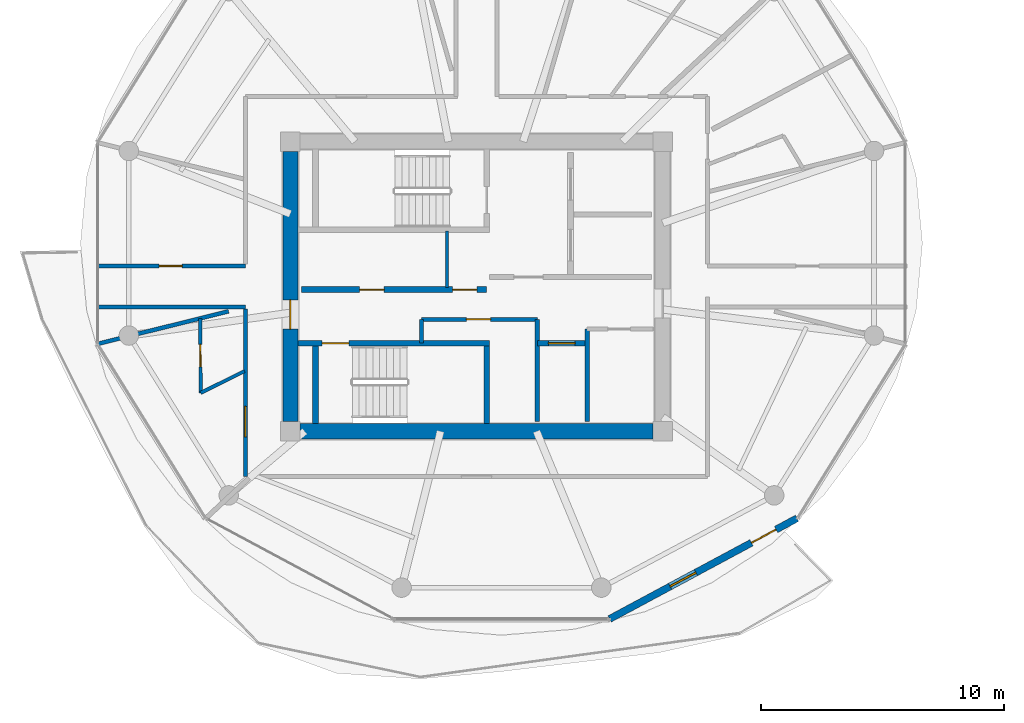
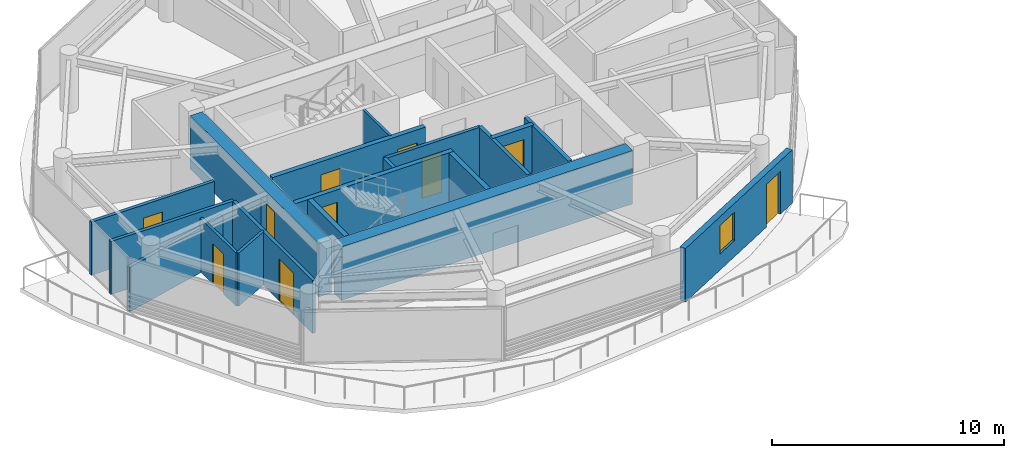
# One storey, part 12 of 23: 19 walls, 10 doors, 1 window, 11 openings.
"""IFC4 building model written with IfcOpenShell, lengths in metres."""

import ifcopenshell
import ifcopenshell.guid

model = None  # the IFC model being written
_history = None  # IfcOwnerHistory: only IFC2X3 demands one
_inside = {}  # id of a spatial element -> (the spatial element, [elements in it])
_under = {}  # id of a project, library or spatial element -> (it, [spatial elements below it])
_declared = {}  # id of a project -> (the project, [libraries it declares])
_typed = {}  # id of a type object -> (the type object, [elements of that type])
_made_of = {}  # id of a material, layer set ... -> (it, [elements and type objects made of it])


def new_model(schema):
    """Start an empty IFC model of exactly this schema.

    Asked for "IFC4X3", IfcOpenShell would pick the latest addendum, in which some entities
    have other attributes; the version numbers below select the first issue.
    IFC2X3 requires an IfcOwnerHistory on every rooted entity: one is made here for all.
    """
    global model, _history
    if schema == "IFC4X3":
        model = ifcopenshell.file(schema_version=(4, 3, 0, 0))
    else:
        model = ifcopenshell.file(schema=schema)
    _inside.clear()
    _under.clear()
    _declared.clear()
    _typed.clear()
    _made_of.clear()
    _history = None
    if model.schema == "IFC2X3":
        org = make("IfcOrganization", Name="unknown")
        user = make(
            "IfcPersonAndOrganization",
            ThePerson=make("IfcPerson", FamilyName="unknown"),
            TheOrganization=org,
        )
        app = make(
            "IfcApplication",
            ApplicationDeveloper=org,
            Version="unknown",
            ApplicationFullName="unknown",
            ApplicationIdentifier="unknown",
        )
        _history = make(
            "IfcOwnerHistory",
            OwningUser=user,
            OwningApplication=app,
            ChangeAction="ADDED",
            CreationDate=0,
        )
    return model


def make(cls, **values):
    """One entity of the class cls with the attributes given. An attribute that is None is left unset."""
    return model.create_entity(
        cls, **{name: value for name, value in values.items() if value is not None}
    )


def rooted(cls, **values):
    """An entity with a GlobalId (a new one), such as an element, a storey or a relation."""
    return make(cls, GlobalId=ifcopenshell.guid.new(), OwnerHistory=_history, **values)


def si_unit(unit_type, name, prefix=None):
    """IfcSIUnit, for example si_unit("LENGTHUNIT", "METRE", prefix="MILLI")."""
    return make("IfcSIUnit", UnitType=unit_type, Prefix=prefix, Name=name)


def assignment(units):
    """IfcUnitAssignment: the units of a project."""
    return None if units is None else make("IfcUnitAssignment", Units=units)


def point(xyz):
    """IfcCartesianPoint."""
    return None if xyz is None else make("IfcCartesianPoint", Coordinates=xyz)


def direction(xyz):
    """IfcDirection."""
    return None if xyz is None else make("IfcDirection", DirectionRatios=xyz)


def frame(location, z_axis=None, x_axis=None):
    """IfcAxis2Placement3D, a coordinate frame: its origin and axes. An axis left out is left unset."""
    return make(
        "IfcAxis2Placement3D",
        Location=point(location),
        Axis=direction(z_axis),
        RefDirection=direction(x_axis),
    )


def frame_2d(location, x_axis=None):
    """IfcAxis2Placement2D, a coordinate frame in the plane: its origin and x axis."""
    return make(
        "IfcAxis2Placement2D", Location=point(location), RefDirection=direction(x_axis)
    )


def origin():
    """The frame at (0, 0, 0) with its axes left unset."""
    return frame((0.0, 0.0, 0.0))


def place(relative_to, where):
    """IfcLocalPlacement: puts the frame where relative to a parent placement (None: the world)."""
    return make(
        "IfcLocalPlacement", PlacementRelTo=relative_to, RelativePlacement=where
    )


def context(
    kind, dimensions, precision=None, world=None, true_north=None, identifier=None
):
    """IfcGeometricRepresentationContext, for example the 3D "Model" context."""
    return make(
        "IfcGeometricRepresentationContext",
        ContextIdentifier=identifier,
        ContextType=kind,
        CoordinateSpaceDimension=dimensions,
        Precision=precision,
        WorldCoordinateSystem=world,
        TrueNorth=true_north,
    )


def subcontext(parent, identifier, kind, view, scale=None):
    """IfcGeometricRepresentationSubContext, for example "Body" below "Model"."""
    return make(
        "IfcGeometricRepresentationSubContext",
        ContextIdentifier=identifier,
        ContextType=kind,
        ParentContext=parent,
        TargetScale=scale,
        TargetView=view,
    )


def project(units=None, contexts=None):
    """IfcProject with its units and contexts."""
    return rooted(
        "IfcProject",
        Name="project",
        RepresentationContexts=contexts,
        UnitsInContext=assignment(units),
    )


def spatial(cls, under=None, at=None, **own):
    """A site, building, storey or space (cls), placed at a placement, below another one or the project."""
    s = rooted(cls, ObjectPlacement=at, **own)
    if under is not None:
        _under.setdefault(under.id(), (under, []))[1].append(s)
    return s


def profile(cls, at=None, kind="AREA", **sizes):
    """A parametric profile (cls). Its sizes go by their IFC names, for example OverallWidth=200.0."""
    return make(cls, ProfileType=kind, Position=at, **sizes)


def rectangle(**sizes):
    """IfcRectangleProfileDef."""
    return profile("IfcRectangleProfileDef", **sizes)


def extrude(swept, where, along, depth):
    """IfcExtrudedAreaSolid: the profile swept, set in the frame where, extruded along a direction by depth."""
    return make(
        "IfcExtrudedAreaSolid",
        SweptArea=swept,
        Position=where,
        ExtrudedDirection=direction(along),
        Depth=depth,
    )


def shape(context_of_items, identifier, shape_type, items):
    """IfcShapeRepresentation: the items that make up one representation, for example the "Body"."""
    return make(
        "IfcShapeRepresentation",
        ContextOfItems=context_of_items,
        RepresentationIdentifier=identifier,
        RepresentationType=shape_type,
        Items=items,
    )


def source(mapping_origin, context_of_items, identifier, shape_type, items):
    """IfcRepresentationMap: a shape defined once, which mapped items show again and again."""
    return make(
        "IfcRepresentationMap",
        MappingOrigin=mapping_origin,
        MappedRepresentation=shape(context_of_items, identifier, shape_type, items),
    )


def transform(
    local_origin,
    x_axis=None,
    y_axis=None,
    z_axis=None,
    scale=None,
    scale2=None,
    scale3=None,
    uniform=True,
):
    """IfcCartesianTransformationOperator3D, or its non-uniform kind. x_axis, y_axis, z_axis: its Axis1, 2, 3."""
    if uniform:
        return make(
            "IfcCartesianTransformationOperator3D",
            Axis1=direction(x_axis),
            Axis2=direction(y_axis),
            LocalOrigin=point(local_origin),
            Scale=scale,
            Axis3=direction(z_axis),
        )
    return make(
        "IfcCartesianTransformationOperator3DnonUniform",
        Axis1=direction(x_axis),
        Axis2=direction(y_axis),
        LocalOrigin=point(local_origin),
        Scale=scale,
        Axis3=direction(z_axis),
        Scale2=scale2,
        Scale3=scale3,
    )


def mapped(mapping_source, mapping_target):
    """IfcMappedItem: shows the shape of a source again, moved by a transform."""
    return make(
        "IfcMappedItem", MappingSource=mapping_source, MappingTarget=mapping_target
    )


def material(Name=None, Category=None):
    """IfcMaterial."""
    return make("IfcMaterial", Name=Name, Category=Category)


def layer(
    of_material, thickness, ventilated=None, Name=None, Category=None, Priority=None
):
    """IfcMaterialLayer: one layer of a wall or slab, of a material (None: an air gap)."""
    return make(
        "IfcMaterialLayer",
        Material=of_material,
        LayerThickness=thickness,
        IsVentilated=ventilated,
        Name=Name,
        Category=Category,
        Priority=Priority,
    )


def layer_set(layers, Name=None):
    """IfcMaterialLayerSet."""
    return make("IfcMaterialLayerSet", MaterialLayers=layers, LayerSetName=Name)


def made_of(thing, what):
    """Note that an element or type object is made of a material, layer set ...; save() writes the relation."""
    if what is not None:
        _made_of.setdefault(what.id(), (what, []))[1].append(thing)
    return thing


def type_object(cls, material=None, **own):
    """A type object (cls), such as IfcWallType, which elements share."""
    return made_of(rooted(cls, **own), material)


def type_shapes(of_type, sources):
    """Give a type object the sources (RepresentationMaps) that its elements show as mapped items."""
    of_type.RepresentationMaps = sources


def element(
    cls,
    number,
    at=None,
    inside=None,
    cuts=None,
    type_object=None,
    material=None,
    context=None,
    identifier="Body",
    shape_type=None,
    held_by="IfcProductDefinitionShape",
    body=None,
    shapes=None,
    **own,
):
    """One element of the class cls, such as IfcWall. Its Tag is "e" and its number.

    at: its placement. inside: the storey or other place that contains it. cuts: it is an
    opening in that element (IfcRelVoidsElement). A single representation is given by context,
    identifier, shape_type and body (its items); several are given by shapes. held_by: the class
    of the entity that holds the representations. save() writes the other relations.
    """
    e = rooted(cls, Tag="e%d" % number, ObjectPlacement=at, **own)
    if body is not None:
        shapes = [shape(context, identifier, shape_type, body)]
    if shapes is not None:
        e.Representation = make(held_by, Representations=shapes)
    if inside is not None:
        _inside.setdefault(inside.id(), (inside, []))[1].append(e)
    if cuts is not None:
        rooted(
            "IfcRelVoidsElement", RelatingBuildingElement=cuts, RelatedOpeningElement=e
        )
    if type_object is not None:
        _typed.setdefault(type_object.id(), (type_object, []))[1].append(e)
    return made_of(e, material)


def fill(opening, filler):
    """IfcRelFillsElement: the door or window that sits in an opening."""
    return rooted(
        "IfcRelFillsElement",
        RelatingOpeningElement=opening,
        RelatedBuildingElement=filler,
    )


def aggregate(whole, parts):
    """IfcRelAggregates: a whole, such as a stair, and the parts it consists of."""
    return rooted("IfcRelAggregates", RelatingObject=whole, RelatedObjects=parts)


def save(model, path):
    """Write the relations noted so far, then the file.

    IfcRelAggregates (storeys below a building ...), IfcRelContainedInSpatialStructure (elements
    in a storey), IfcRelDefinesByType, IfcRelAssociatesMaterial and IfcRelDeclares: one each for
    every whole, place, type object, material and project.
    """
    for whole, parts in _under.values():
        aggregate(whole, parts)
    for where, things in _inside.values():
        rooted(
            "IfcRelContainedInSpatialStructure",
            RelatedElements=things,
            RelatingStructure=where,
        )
    for kind, things in _typed.values():
        rooted("IfcRelDefinesByType", RelatedObjects=things, RelatingType=kind)
    for what, things in _made_of.values():
        rooted("IfcRelAssociatesMaterial", RelatedObjects=things, RelatingMaterial=what)
    for by, libraries in _declared.values():
        rooted("IfcRelDeclares", RelatingContext=by, RelatedDefinitions=libraries)
    model.write(path)


model = new_model("IFC4")

# Units and contexts
model_context = context("Model", 3, precision=1e-05, world=origin(), true_north=direction((0.0, 1.0)))
body_context = subcontext(model_context, "Body", "Model", "MODEL_VIEW")
ifc_project = project(units=[si_unit("LENGTHUNIT", "METRE"), si_unit("AREAUNIT", "SQUARE_METRE"), si_unit("VOLUMEUNIT", "CUBIC_METRE"), si_unit("PLANEANGLEUNIT", "RADIAN"), si_unit("MASSUNIT", "GRAM", prefix="KILO")], contexts=[model_context])

# Site, building, storey
site_placement = place(None, origin())
site = spatial("IfcSite", under=ifc_project, at=site_placement, CompositionType="ELEMENT")
building_placement = place(site_placement, origin())
building = spatial("IfcBuilding", under=site, at=building_placement, Name="Norrkilde Senior Care Towers", CompositionType="ELEMENT")
storey_placement = place(building_placement, frame((0.0, 0.0, 173.949951171875)))
storey = spatial("IfcBuildingStorey", under=building, at=storey_placement, Name="L54", CompositionType="ELEMENT", Elevation=173.949951171875)

# Wall
ifc_material_1 = material(Name="Concrete C50/60", Category="concrete")
ifc_layer_1 = layer(ifc_material_1, 0.6201171875)
ifc_layer_set_1 = layer_set([ifc_layer_1], Name="Concrete C50/60")
wall_type_1 = type_object("IfcWallType", Name="Core Shear Wall Z3 620", PredefinedType="SHEAR", material=ifc_layer_set_1)
shared_shape_1 = source(origin(), body_context, "Body", "SweptSolid", [
    extrude(rectangle(XDim=14.5, YDim=0.6201171875, at=frame_2d((7.25, 0.0))), origin(), (0.0, 0.0, 1.0), 2.81005859375),
])
wall_1_placement = place(storey_placement, frame((-20.75, -5.949951171875, 0.0), z_axis=(0.0, 0.0, 1.0), x_axis=(-1.0, 0.0, 0.0)))
element("IfcWall", 1, at=wall_1_placement, inside=storey, type_object=wall_type_1, Name="L54 Core W South Shear Wall", PredefinedType="SHEAR", context=body_context, shape_type="MappedRepresentation", body=[
    mapped(shared_shape_1, transform((0.0, 0.0, 0.0), x_axis=(1.0, 0.0, 0.0), y_axis=(0.0, 1.0, 0.0), z_axis=(0.0, 0.0, 1.0), scale=1.0)),
])

# Wall, opening, door
shared_shape_2 = source(origin(), body_context, "Body", "SweptSolid", [
    extrude(rectangle(XDim=11.10009765625, YDim=0.6201171875, at=frame_2d((5.550048828125, 0.0))), origin(), (0.0, 0.0, 1.0), 2.81005859375),
])
type_shapes(wall_type_1, [shared_shape_1, shared_shape_2])
wall_2_placement = place(storey_placement, frame((-35.64990234375, -5.550048828125, 0.0), z_axis=(0.0, 0.0, 1.0), x_axis=(0.0, 1.0, 0.0)))
wall_2 = element("IfcWall", 2, at=wall_2_placement, inside=storey, type_object=wall_type_1, Name="L54 Core W West Shear Wall", PredefinedType="SHEAR", context=body_context, shape_type="MappedRepresentation", body=[
    mapped(shared_shape_2, transform((0.0, 0.0, 0.0), x_axis=(1.0, 0.0, 0.0), y_axis=(0.0, 1.0, 0.0), z_axis=(0.0, 0.0, 1.0), scale=1.0)),
])
opening_1_placement = place(wall_2_placement, frame((3.800048828125, 0.0, 0.0)))
opening_1 = element("IfcOpeningElement", 3, at=opening_1_placement, cuts=wall_2, Name="Opening D-04", PredefinedType="OPENING", context=body_context, shape_type="SweptSolid", body=[
    extrude(rectangle(XDim=1.199951171875, YDim=2.14990234375, at=frame_2d((0.60009765625, 1.074951171875))), frame((0.0, 0.320068359375, 0.0), z_axis=(0.0, -1.0, 0.0), x_axis=(1.0, 0.0, 0.0)), (0.0, 0.0, 1.0), 0.64013671875),
])
ifc_material_2 = material(Name="Galvanised Painted Steel", Category="steel")
door_type_1 = type_object("IfcDoorType", Name="Firefighting Lobby Fire Door 1200x2150", OperationType="NOTDEFINED", PredefinedType="DOOR", material=ifc_material_2)
shared_shape_3 = source(origin(), body_context, "Body", "SweptSolid", [
    extrude(rectangle(XDim=1.199951171875, YDim=2.14990234375, at=frame_2d((0.60009765625, 1.074951171875))), frame((0.0, 0.02490234375, 0.0), z_axis=(0.0, -1.0, 0.0), x_axis=(1.0, 0.0, 0.0)), (0.0, 0.0, 1.0), 0.050048828125),
])
type_shapes(door_type_1, [shared_shape_3])
door_1_placement = place(opening_1_placement, frame((1.199951171875, 0.0, 0.0), z_axis=(0.0, 0.0, 1.0), x_axis=(-1.0, 0.0, 0.0)))
door_1 = element("IfcDoor", 4, at=door_1_placement, inside=storey, type_object=door_type_1, Name="L54 Core W West Portal Door", OperationType="SINGLE_SWING_LEFT", OverallHeight=2.14990234375, OverallWidth=1.199951171875, PredefinedType="DOOR", context=body_context, shape_type="MappedRepresentation", body=[
    mapped(shared_shape_3, transform((0.0, 0.0, 0.0), x_axis=(1.0, 0.0, 0.0), y_axis=(0.0, 1.0, 0.0), z_axis=(0.0, 0.0, 1.0), scale=1.0)),
])
fill(opening_1, door_1)

# Wall, openings, door, window
ifc_material_3 = material(Name="Precast concrete C45/55", Category="concrete")
ifc_layer_2 = layer(ifc_material_3, 0.2900390625)
ifc_layer_set_2 = layer_set([ifc_layer_2], Name="Precast concrete C45/55")
wall_type_2 = type_object("IfcWallType", Name="Winter Garden Facade Wall 290", PredefinedType="SOLIDWALL", material=ifc_layer_set_2)
shared_shape_4 = source(origin(), body_context, "Body", "SweptSolid", [
    extrude(rectangle(XDim=8.741943359375, YDim=0.2900390625, at=frame_2d((4.37109375, 0.0))), origin(), (0.0, 0.0, 1.0), 2.81005859375),
])
type_shapes(wall_type_2, [shared_shape_4])
wall_3_placement = place(storey_placement, frame((-14.826904296875, -9.524169921875, 0.0), z_axis=(0.0, 0.0, 1.0), x_axis=(-0.880998740657, -0.473118609823, 0.0)))
wall_3 = element("IfcWall", 5, at=wall_3_placement, inside=storey, type_object=wall_type_2, Name="L54 Drum W Balcony Access Wall 09", PredefinedType="SOLIDWALL", context=body_context, shape_type="MappedRepresentation", body=[
    mapped(shared_shape_4, transform((0.0, 0.0, 0.0), x_axis=(1.0, 0.0, 0.0), y_axis=(0.0, 1.0, 0.0), z_axis=(0.0, 0.0, 1.0), scale=1.0)),
])
opening_2_placement = place(wall_3_placement, frame((0.97998046875, 0.0, 0.0)))
opening_2 = element("IfcOpeningElement", 6, at=opening_2_placement, cuts=wall_3, Name="Opening D-09", PredefinedType="OPENING", context=body_context, shape_type="SweptSolid", body=[
    extrude(rectangle(XDim=1.14990234375, YDim=2.25, at=frame_2d((0.574951171875, 1.125))), frame((0.0, 0.155029296875, 0.0), z_axis=(0.0, -1.0, 0.0), x_axis=(1.0, 0.0, 0.0)), (0.0, 0.0, 1.0), 0.31005859375),
])
opening_3_placement = place(wall_3_placement, frame((4.720947265625, 0.0, 0.85009765625)))
opening_3 = element("IfcOpeningElement", 7, at=opening_3_placement, cuts=wall_3, Name="Opening WN-07", PredefinedType="OPENING", context=body_context, shape_type="SweptSolid", body=[
    extrude(rectangle(XDim=1.199951171875, YDim=1.5, at=frame_2d((0.60009765625, 0.75))), frame((0.0, 0.155029296875, 0.0), z_axis=(0.0, -1.0, 0.0), x_axis=(1.0, 0.0, 0.0)), (0.0, 0.0, 1.0), 0.31005859375),
])
ifc_material_4 = material(Name="Anodised Aluminium", Category="aluminium")
door_type_2 = type_object("IfcDoorType", Name="Terrace and Balcony Glazed Door 1150x2250", OperationType="NOTDEFINED", PredefinedType="DOOR", material=ifc_material_4)
shared_shape_5 = source(origin(), body_context, "Body", "SweptSolid", [
    extrude(rectangle(XDim=1.14990234375, YDim=2.25, at=frame_2d((0.574951171875, 1.125))), frame((0.0, 0.02490234375, 0.0), z_axis=(0.0, -1.0, 0.0), x_axis=(1.0, 0.0, 0.0)), (0.0, 0.0, 1.0), 0.050048828125),
])
type_shapes(door_type_2, [shared_shape_5])
door_2_placement = place(opening_2_placement, origin())
door_2 = element("IfcDoor", 8, at=door_2_placement, inside=storey, type_object=door_type_2, Name="L54 Drum W Outdoor Terrace Door 09", OperationType="SINGLE_SWING_RIGHT", OverallHeight=2.25, OverallWidth=1.14990234375, PredefinedType="DOOR", context=body_context, shape_type="MappedRepresentation", body=[
    mapped(shared_shape_5, transform((0.0, 0.0, 0.0), x_axis=(1.0, 0.0, 0.0), y_axis=(0.0, 1.0, 0.0), z_axis=(0.0, 0.0, 1.0), scale=1.0)),
])
fill(opening_2, door_2)
ifc_material_5 = material(Name="Triple Low-E Insulated Glazing", Category="glass")
window_type = type_object("IfcWindowType", Name="Stairwell Smoke Vent Window 1200x1500", PartitioningType="SINGLE_PANEL", PredefinedType="WINDOW", material=ifc_material_5)
shared_shape_6 = source(origin(), body_context, "Body", "SweptSolid", [
    extrude(rectangle(XDim=1.199951171875, YDim=1.5, at=frame_2d((0.60009765625, 0.75))), frame((0.0, 0.030029296875, 0.0), z_axis=(0.0, -1.0, 0.0), x_axis=(1.0, 0.0, 0.0)), (0.0, 0.0, 1.0), 0.06005859375),
])
type_shapes(window_type, [shared_shape_6])
window_placement = place(opening_3_placement, origin())
window = element("IfcWindow", 9, at=window_placement, inside=storey, type_object=window_type, Name="L54 Drum W Winter Garden Window 09", OverallHeight=1.5, OverallWidth=1.199951171875, PartitioningType="SINGLE_PANEL", PredefinedType="WINDOW", context=body_context, shape_type="MappedRepresentation", body=[
    mapped(shared_shape_6, transform((0.0, 0.0, 0.0), x_axis=(1.0, 0.0, 0.0), y_axis=(0.0, 1.0, 0.0), z_axis=(0.0, 0.0, 1.0), scale=1.0)),
])
fill(opening_3, window)

# Wall, opening, door
ifc_material_6 = material(Name="Concrete C45/55", Category="concrete")
ifc_layer_3 = layer(ifc_material_6, 0.239990234375)
ifc_layer_set_3 = layer_set([ifc_layer_3], Name="Concrete C45/55")
wall_type_3 = type_object("IfcWallType", Name="Shaft and Stair Enclosure Wall 240", PredefinedType="PARTITIONING", material=ifc_layer_set_3)
shared_shape_7 = source(origin(), body_context, "Body", "SweptSolid", [
    extrude(rectangle(XDim=7.880126953125, YDim=0.239990234375, at=frame_2d((3.93994140625, 0.0))), origin(), (0.0, 0.0, 1.0), 2.81005859375),
])
wall_4_placement = place(storey_placement, frame((-35.340087890625, -2.330078125, 0.0), z_axis=(0.0, 0.0, 1.0), x_axis=(1.0, 0.0, 0.0)))
wall_4 = element("IfcWall", 10, at=wall_4_placement, inside=storey, type_object=wall_type_3, Name="WL-INT-L54-W-ST2N", PredefinedType="PARTITIONING", context=body_context, shape_type="MappedRepresentation", body=[
    mapped(shared_shape_7, transform((0.0, 0.0, 0.0), x_axis=(1.0, 0.0, 0.0), y_axis=(0.0, 1.0, 0.0), z_axis=(0.0, 0.0, 1.0), scale=1.0)),
])
opening_4_placement = place(wall_4_placement, frame((1.0, 0.0, 0.0)))
opening_4 = element("IfcOpeningElement", 11, at=opening_4_placement, cuts=wall_4, Name="Opening D-03", PredefinedType="OPENING", context=body_context, shape_type="SweptSolid", body=[
    extrude(rectangle(XDim=1.10009765625, YDim=2.14990234375, at=frame_2d((0.550048828125, 1.074951171875))), frame((0.0, 0.1298828125, 0.0), z_axis=(0.0, -1.0, 0.0), x_axis=(1.0, 0.0, 0.0)), (0.0, 0.0, 1.0), 0.260009765625),
])
door_type_3 = type_object("IfcDoorType", Name="Stairwell Protected Fire Door 1100x2150", OperationType="NOTDEFINED", PredefinedType="DOOR", material=ifc_material_2)
shared_shape_8 = source(origin(), body_context, "Body", "SweptSolid", [
    extrude(rectangle(XDim=1.10009765625, YDim=2.14990234375, at=frame_2d((0.550048828125, 1.074951171875))), frame((0.0, 0.02490234375, 0.0), z_axis=(0.0, -1.0, 0.0), x_axis=(1.0, 0.0, 0.0)), (0.0, 0.0, 1.0), 0.050048828125),
])
type_shapes(door_type_3, [shared_shape_8])
door_3_placement = place(opening_4_placement, frame((1.10009765625, 0.0, 0.0), z_axis=(0.0, 0.0, 1.0), x_axis=(-1.0, 0.0, 0.0)))
door_3 = element("IfcDoor", 12, at=door_3_placement, inside=storey, type_object=door_type_3, Name="L54 Stair W2 Fire Door", OperationType="SINGLE_SWING_RIGHT", OverallHeight=2.14990234375, OverallWidth=1.10009765625, PredefinedType="DOOR", context=body_context, shape_type="MappedRepresentation", body=[
    mapped(shared_shape_8, transform((0.0, 0.0, 0.0), x_axis=(1.0, 0.0, 0.0), y_axis=(0.0, 1.0, 0.0), z_axis=(0.0, 0.0, 1.0), scale=1.0)),
])
fill(opening_4, door_3)

# Walls
shared_shape_9 = source(origin(), body_context, "Body", "SweptSolid", [
    extrude(rectangle(XDim=3.18994140625, YDim=0.239990234375, at=frame_2d((1.594970703125, 0.0))), origin(), (0.0, 0.0, 1.0), 2.81005859375),
])
type_shapes(wall_type_3, [shared_shape_7, shared_shape_9])
for number, where, z_axis, x_axis, name in (
    (13, (-34.6201171875, -5.639892578125, 0.0), (0.0, 0.0, 1.0), (0.0, 1.0, 0.0), "WL-INT-L54-W-ST2W"),
    (14, (-27.580078125, -5.639892578125, 0.0), (0.0, 0.0, 1.0), (0.0, 1.0, 0.0), "WL-INT-L54-W-ST2E"),
):
    element("IfcWall", number, at=place(storey_placement, frame(where, z_axis=z_axis, x_axis=x_axis)), inside=storey, type_object=wall_type_3, Name=name, PredefinedType="PARTITIONING", context=body_context, shape_type="MappedRepresentation", body=[
        mapped(shared_shape_9, transform((0.0, 0.0, 0.0), x_axis=(1.0, 0.0, 0.0), y_axis=(0.0, 1.0, 0.0), z_axis=(0.0, 0.0, 1.0), scale=1.0)),
    ])

# Wall, openings, doors
ifc_layer_4 = layer(ifc_material_6, 0.239990234375)
ifc_layer_set_4 = layer_set([ifc_layer_4], Name="Concrete C45/55")
wall_type_4 = type_object("IfcWallType", Name="Lift and Plant Rated Enclosure Partition 240", PredefinedType="PARTITIONING", material=ifc_layer_set_4)
shared_shape_10 = source(origin(), body_context, "Body", "SweptSolid", [
    extrude(rectangle(XDim=7.619873046875, YDim=0.239990234375, at=frame_2d((3.81005859375, 0.0))), origin(), (0.0, 0.0, 1.0), 2.795166015625),
])
wall_5_placement = place(storey_placement, frame((-35.199951171875, -0.1298828125, 0.0), z_axis=(0.0, 0.0, 1.0), x_axis=(1.0, 0.0, 0.0)))
wall_5 = element("IfcWall", 15, at=wall_5_placement, inside=storey, type_object=wall_type_4, Name="WL-INT-L54-W-PKAS", PredefinedType="PARTITIONING", context=body_context, shape_type="MappedRepresentation", body=[
    mapped(shared_shape_10, transform((0.0, 0.0, 0.0), x_axis=(1.0, 0.0, 0.0), y_axis=(0.0, 1.0, 0.0), z_axis=(0.0, 0.0, 1.0), scale=1.0)),
])
opening_5_placement = place(wall_5_placement, frame((6.219970703125, 0.0, 0.0)))
opening_5 = element("IfcOpeningElement", 16, at=opening_5_placement, cuts=wall_5, Name="Opening D-10", PredefinedType="OPENING", context=body_context, shape_type="SweptSolid", body=[
    extrude(rectangle(XDim=1.0, YDim=2.10009765625, at=frame_2d((0.5, 1.050048828125))), frame((0.0, 0.1298828125, 0.0), z_axis=(0.0, -1.0, 0.0), x_axis=(1.0, 0.0, 0.0)), (0.0, 0.0, 1.0), 0.260009765625),
])
opening_6_placement = place(wall_5_placement, frame((2.39990234375, 0.0, 0.0)))
opening_6 = element("IfcOpeningElement", 17, at=opening_6_placement, cuts=wall_5, Name="Opening D-10", PredefinedType="OPENING", context=body_context, shape_type="SweptSolid", body=[
    extrude(rectangle(XDim=1.0, YDim=2.10009765625, at=frame_2d((0.5, 1.050048828125))), frame((0.0, 0.1298828125, 0.0), z_axis=(0.0, -1.0, 0.0), x_axis=(1.0, 0.0, 0.0)), (0.0, 0.0, 1.0), 0.260009765625),
])
door_type_4 = type_object("IfcDoorType", Name="Plant and Riser Rated Door 1000x2100", OperationType="NOTDEFINED", PredefinedType="DOOR", material=ifc_material_2)
shared_shape_11 = source(origin(), body_context, "Body", "SweptSolid", [
    extrude(rectangle(XDim=1.0, YDim=2.10009765625, at=frame_2d((0.5, 1.050048828125))), frame((0.0, 0.02490234375, 0.0), z_axis=(0.0, -1.0, 0.0), x_axis=(1.0, 0.0, 0.0)), (0.0, 0.0, 1.0), 0.050048828125),
])
type_shapes(door_type_4, [shared_shape_11])
door_4_placement = place(opening_5_placement, frame((1.0, 0.0, 0.0), z_axis=(0.0, 0.0, 1.0), x_axis=(-1.0, 0.0, 0.0)))
door_4 = element("IfcDoor", 18, at=door_4_placement, inside=storey, type_object=door_type_4, Name="L54 Electrical Riser W Door", OperationType="SINGLE_SWING_LEFT", OverallHeight=2.10009765625, OverallWidth=1.0, PredefinedType="DOOR", context=body_context, shape_type="MappedRepresentation", body=[
    mapped(shared_shape_11, transform((0.0, 0.0, 0.0), x_axis=(1.0, 0.0, 0.0), y_axis=(0.0, 1.0, 0.0), z_axis=(0.0, 0.0, 1.0), scale=1.0)),
])
fill(opening_5, door_4)
door_5_placement = place(opening_6_placement, frame((1.0, 0.0, 0.0), z_axis=(0.0, 0.0, 1.0), x_axis=(-1.0, 0.0, 0.0)))
door_5 = element("IfcDoor", 19, at=door_5_placement, inside=storey, type_object=door_type_4, Name="L54 Clean Supply Store W Door", OperationType="SINGLE_SWING_LEFT", OverallHeight=2.10009765625, OverallWidth=1.0, PredefinedType="DOOR", context=body_context, shape_type="MappedRepresentation", body=[
    mapped(shared_shape_11, transform((0.0, 0.0, 0.0), x_axis=(1.0, 0.0, 0.0), y_axis=(0.0, 1.0, 0.0), z_axis=(0.0, 0.0, 1.0), scale=1.0)),
])
fill(opening_6, door_5)

# Walls
ifc_material_7 = material(Name="Gypsum Acoustic Board")
ifc_layer_5 = layer(ifc_material_7, 0.114990234375)
ifc_layer_set_5 = layer_set([ifc_layer_5], Name="Gypsum Acoustic Board")
wall_type_5 = type_object("IfcWallType", Name="Internal Room Partition 115", PredefinedType="PARTITIONING", material=ifc_layer_set_5)
shared_shape_12 = source(origin(), body_context, "Body", "SweptSolid", [
    extrude(rectangle(XDim=2.330078125, YDim=0.114990234375, at=frame_2d((1.1650390625, 0.0))), origin(), (0.0, 0.0, 1.0), 2.795166015625),
])
type_shapes(wall_type_5, [shared_shape_12])
wall_6_placement = place(storey_placement, frame((-29.2099609375, -0.050048828125, 0.0), z_axis=(0.0, 0.0, 1.0), x_axis=(0.0, 1.0, 0.0)))
element("IfcWall", 20, at=wall_6_placement, inside=storey, type_object=wall_type_5, Name="WL-INT-L54-W-RISW", PredefinedType="PARTITIONING", context=body_context, shape_type="MappedRepresentation", body=[
    mapped(shared_shape_12, transform((0.0, 0.0, 0.0), x_axis=(1.0, 0.0, 0.0), y_axis=(0.0, 1.0, 0.0), z_axis=(0.0, 0.0, 1.0), scale=1.0)),
])
ifc_layer_6 = layer(ifc_material_6, 0.199951171875)
ifc_layer_set_6 = layer_set([ifc_layer_6], Name="Concrete C45/55")
wall_type_6 = type_object("IfcWallType", Name="Shaft Division and Plant Partition 200", PredefinedType="PARTITIONING", material=ifc_layer_set_6)
shared_shape_13 = source(origin(), body_context, "Body", "SweptSolid", [
    extrude(rectangle(XDim=3.800048828125, YDim=0.199951171875, at=frame_2d((1.89990234375, 0.0))), origin(), (0.0, 0.0, 1.0), 2.795166015625),
])
type_shapes(wall_type_6, [shared_shape_13])
wall_7_placement = place(storey_placement, frame((-23.449951171875, -5.550048828125, 0.0), z_axis=(0.0, 0.0, 1.0), x_axis=(0.0, 1.0, 0.0)))
element("IfcWall", 21, at=wall_7_placement, inside=storey, type_object=wall_type_6, Name="WL-INT-L54-W-PKBE", PredefinedType="PARTITIONING", context=body_context, shape_type="MappedRepresentation", body=[
    mapped(shared_shape_13, transform((0.0, 0.0, 0.0), x_axis=(1.0, 0.0, 0.0), y_axis=(0.0, 1.0, 0.0), z_axis=(0.0, 0.0, 1.0), scale=1.0)),
])
ifc_layer_7 = layer(ifc_material_7, 0.139892578125)
ifc_layer_set_7 = layer_set([ifc_layer_7], Name="Gypsum Acoustic Board")
wall_type_7 = type_object("IfcWallType", Name="En-suite Wet Room Wall 140", PredefinedType="PARTITIONING", material=ifc_layer_set_7)
shared_shape_14 = source(origin(), body_context, "Body", "SweptSolid", [
    extrude(rectangle(XDim=2.012939453125, YDim=0.139892578125, at=frame_2d((1.00634765625, 0.0))), origin(), (0.0, 0.0, 1.0), 2.795166015625),
])
wall_8_placement = place(storey_placement, frame((-37.530029296875, -3.4755859375, 0.0), z_axis=(0.0, 0.0, 1.0), x_axis=(-0.895347078862, -0.445369069843, 0.0)))
element("IfcWall", 22, at=wall_8_placement, inside=storey, type_object=wall_type_7, Name="WL-INT-L54-W-ES-06", PredefinedType="PARTITIONING", context=body_context, shape_type="MappedRepresentation", body=[
    mapped(shared_shape_14, transform((0.0, 0.0, 0.0), x_axis=(1.0, 0.0, 0.0), y_axis=(0.0, 1.0, 0.0), z_axis=(0.0, 0.0, 1.0), scale=1.0)),
])

# Wall, opening, door
ifc_layer_8 = layer(ifc_material_7, 0.1650390625)
ifc_layer_set_8 = layer_set([ifc_layer_8], Name="Gypsum Acoustic Board")
wall_type_8 = type_object("IfcWallType", Name="Corridor Rated Partition 165", PredefinedType="PARTITIONING", material=ifc_layer_set_8)
shared_shape_15 = source(origin(), body_context, "Body", "SweptSolid", [
    extrude(rectangle(XDim=6.880126953125, YDim=0.1650390625, at=frame_2d((3.43994140625, 0.0))), origin(), (0.0, 0.0, 1.0), 2.795166015625),
])
wall_9_placement = place(storey_placement, frame((-37.5, -7.800048828125, 0.0), z_axis=(0.0, 0.0, 1.0), x_axis=(0.0, 1.0, 0.0)))
wall_9 = element("IfcWall", 23, at=wall_9_placement, inside=storey, type_object=wall_type_8, Name="WL-INT-L54-W-CRW-W-0", PredefinedType="PARTITIONING", context=body_context, shape_type="MappedRepresentation", body=[
    mapped(shared_shape_15, transform((0.0, 0.0, 0.0), x_axis=(1.0, 0.0, 0.0), y_axis=(0.0, 1.0, 0.0), z_axis=(0.0, 0.0, 1.0), scale=1.0)),
])
opening_7_placement = place(wall_9_placement, frame((1.61962890625, 0.0, 0.0)))
opening_7 = element("IfcOpeningElement", 24, at=opening_7_placement, cuts=wall_9, Name="Opening D-05", PredefinedType="OPENING", context=body_context, shape_type="SweptSolid", body=[
    extrude(rectangle(XDim=1.25, YDim=2.199951171875, at=frame_2d((0.625, 1.10009765625))), frame((0.0, 0.092529296875, 0.0), z_axis=(0.0, -1.0, 0.0), x_axis=(1.0, 0.0, 0.0)), (0.0, 0.0, 1.0), 0.18505859375),
])
ifc_material_8 = material(Name="Nordic Ash Timber", Category="wood")
door_type_5 = type_object("IfcDoorType", Name="Care Bedroom Bariatric Door 1250x2200", OperationType="NOTDEFINED", PredefinedType="DOOR", material=ifc_material_8)
shared_shape_16 = source(origin(), body_context, "Body", "SweptSolid", [
    extrude(rectangle(XDim=1.25, YDim=2.199951171875, at=frame_2d((0.625, 1.10009765625))), frame((0.0, 0.02490234375, 0.0), z_axis=(0.0, -1.0, 0.0), x_axis=(1.0, 0.0, 0.0)), (0.0, 0.0, 1.0), 0.050048828125),
])
type_shapes(door_type_5, [shared_shape_16])
door_6_placement = place(opening_7_placement, frame((1.25, 0.0, 0.0), z_axis=(0.0, 0.0, 1.0), x_axis=(-1.0, 0.0, 0.0)))
door_6 = element("IfcDoor", 25, at=door_6_placement, inside=storey, type_object=door_type_5, Name="L54 Care Suite 5406 Entrance Door", OperationType="SINGLE_SWING_RIGHT", OverallHeight=2.199951171875, OverallWidth=1.25, PredefinedType="DOOR", context=body_context, shape_type="MappedRepresentation", body=[
    mapped(shared_shape_16, transform((0.0, 0.0, 0.0), x_axis=(1.0, 0.0, 0.0), y_axis=(0.0, 1.0, 0.0), z_axis=(0.0, 0.0, 1.0), scale=1.0)),
])
fill(opening_7, door_6)

# Wall
shared_shape_17 = source(origin(), body_context, "Body", "SweptSolid", [
    extrude(rectangle(XDim=5.564208984375, YDim=0.1650390625, at=frame_2d((2.7822265625, 0.0))), origin(), (0.0, 0.0, 1.0), 2.344970703125),
])
wall_10_placement = place(storey_placement, frame((-38.18994140625, -1.02001953125, 0.0), z_axis=(0.0, 0.0, 1.0), x_axis=(-0.97031260977, -0.241854169533, 0.0)))
element("IfcWall", 26, at=wall_10_placement, inside=storey, type_object=wall_type_8, Name="WL-INT-L54-W-DEM-06-0", PredefinedType="PARTITIONING", context=body_context, shape_type="MappedRepresentation", body=[
    mapped(shared_shape_17, transform((0.0, 0.0, 0.0), x_axis=(1.0, 0.0, 0.0), y_axis=(0.0, 1.0, 0.0), z_axis=(0.0, 0.0, 1.0), scale=1.0)),
])

# Wall, opening, door
shared_shape_18 = source(origin(), body_context, "Body", "SweptSolid", [
    extrude(rectangle(XDim=6.138916015625, YDim=0.1650390625, at=frame_2d((3.0693359375, 0.0))), origin(), (0.0, 0.0, 1.0), 2.795166015625),
])
wall_11_placement = place(storey_placement, frame((-43.638916015625, 0.840087890625, 0.0), z_axis=(0.0, 0.0, 1.0), x_axis=(1.0, 0.0, 0.0)))
wall_11 = element("IfcWall", 27, at=wall_11_placement, inside=storey, type_object=wall_type_8, Name="WL-INT-L54-W-SPK-W1-0", PredefinedType="PARTITIONING", context=body_context, shape_type="MappedRepresentation", body=[
    mapped(shared_shape_18, transform((0.0, 0.0, 0.0), x_axis=(1.0, 0.0, 0.0), y_axis=(0.0, 1.0, 0.0), z_axis=(0.0, 0.0, 1.0), scale=1.0)),
])
opening_8_placement = place(wall_11_placement, frame((2.594482421875, 0.0, 0.0)))
opening_8 = element("IfcOpeningElement", 28, at=opening_8_placement, cuts=wall_11, Name="Opening D-07", PredefinedType="OPENING", context=body_context, shape_type="SweptSolid", body=[
    extrude(rectangle(XDim=0.949951171875, YDim=2.10009765625, at=frame_2d((0.47509765625, 1.050048828125))), frame((0.0, 0.092529296875, 0.0), z_axis=(0.0, -1.0, 0.0), x_axis=(1.0, 0.0, 0.0)), (0.0, 0.0, 1.0), 0.18505859375),
])
door_type_6 = type_object("IfcDoorType", Name="Internal Suite Bedroom Door 950x2100", OperationType="NOTDEFINED", PredefinedType="DOOR", material=ifc_material_8)
shared_shape_19 = source(origin(), body_context, "Body", "SweptSolid", [
    extrude(rectangle(XDim=0.949951171875, YDim=2.10009765625, at=frame_2d((0.47509765625, 1.050048828125))), frame((0.0, 0.02490234375, 0.0), z_axis=(0.0, -1.0, 0.0), x_axis=(1.0, 0.0, 0.0)), (0.0, 0.0, 1.0), 0.050048828125),
])
type_shapes(door_type_6, [shared_shape_19])
door_7_placement = place(opening_8_placement, frame((0.949951171875, 0.0, 0.0), z_axis=(0.0, 0.0, 1.0), x_axis=(-1.0, 0.0, 0.0)))
door_7 = element("IfcDoor", 29, at=door_7_placement, inside=storey, type_object=door_type_6, Name="L54 Sun Reading Lounge 2 Door", OperationType="SINGLE_SWING_LEFT", OverallHeight=2.10009765625, OverallWidth=0.949951171875, PredefinedType="DOOR", context=body_context, shape_type="MappedRepresentation", body=[
    mapped(shared_shape_19, transform((0.0, 0.0, 0.0), x_axis=(1.0, 0.0, 0.0), y_axis=(0.0, 1.0, 0.0), z_axis=(0.0, 0.0, 1.0), scale=1.0)),
])
fill(opening_8, door_7)

# Wall
wall_12_placement = place(storey_placement, frame((-37.5, -0.840087890625, 0.0), z_axis=(0.0, 0.0, 1.0), x_axis=(-1.0, 0.0, 0.0)))
element("IfcWall", 30, at=wall_12_placement, inside=storey, type_object=wall_type_8, Name="WL-INT-L54-W-SPK-W2-0", PredefinedType="PARTITIONING", context=body_context, shape_type="MappedRepresentation", body=[
    mapped(shared_shape_18, transform((0.0, 0.0, 0.0), x_axis=(1.0, 0.0, 0.0), y_axis=(0.0, 1.0, 0.0), z_axis=(0.0, 0.0, 1.0), scale=1.0)),
])

# Wall, opening, door
shared_shape_20 = source(origin(), body_context, "Body", "SweptSolid", [
    extrude(rectangle(XDim=2.050048828125, YDim=0.239990234375, at=frame_2d((1.02490234375, 0.0))), origin(), (0.0, 0.0, 1.0), 2.795166015625),
])
type_shapes(wall_type_4, [shared_shape_10, shared_shape_20])
wall_13_placement = place(storey_placement, frame((-25.5, -2.330078125, 0.0), z_axis=(0.0, 0.0, 1.0), x_axis=(1.0, 0.0, 0.0)))
wall_13 = element("IfcWall", 31, at=wall_13_placement, inside=storey, type_object=wall_type_4, Name="WL-INT-L54-W-PL4N", PredefinedType="PARTITIONING", context=body_context, shape_type="MappedRepresentation", body=[
    mapped(shared_shape_20, transform((0.0, 0.0, 0.0), x_axis=(1.0, 0.0, 0.0), y_axis=(0.0, 1.0, 0.0), z_axis=(0.0, 0.0, 1.0), scale=1.0)),
])
opening_9_placement = place(wall_13_placement, frame((0.449951171875, 0.0, 0.0)))
opening_9 = element("IfcOpeningElement", 32, at=opening_9_placement, cuts=wall_13, Name="Opening LD-01", PredefinedType="OPENING", context=body_context, shape_type="SweptSolid", body=[
    extrude(rectangle(XDim=1.10009765625, YDim=2.199951171875, at=frame_2d((0.550048828125, 1.10009765625))), frame((0.0, 0.1298828125, 0.0), z_axis=(0.0, -1.0, 0.0), x_axis=(1.0, 0.0, 0.0)), (0.0, 0.0, 1.0), 0.260009765625),
])
ifc_material_9 = material(Name="Stainless Steel", Category="steel")
door_type_7 = type_object("IfcDoorType", Name="Lift Landing Sliding Door 1100x2200", OperationType="NOTDEFINED", PredefinedType="DOOR", material=ifc_material_9)
shared_shape_21 = source(origin(), body_context, "Body", "SweptSolid", [
    extrude(rectangle(XDim=1.10009765625, YDim=2.199951171875, at=frame_2d((0.550048828125, 1.10009765625))), frame((0.0, 0.02490234375, 0.0), z_axis=(0.0, -1.0, 0.0), x_axis=(1.0, 0.0, 0.0)), (0.0, 0.0, 1.0), 0.050048828125),
])
type_shapes(door_type_7, [shared_shape_21])
door_8_placement = place(opening_9_placement, frame((1.10009765625, 0.0, 0.0), z_axis=(0.0, 0.0, 1.0), x_axis=(-1.0, 0.0, 0.0)))
door_8 = element("IfcDoor", 33, at=door_8_placement, inside=storey, type_object=door_type_7, Name="L54 Passenger Lift W4 Landing Door", OperationType="SLIDING_TO_RIGHT", OverallHeight=2.199951171875, OverallWidth=1.10009765625, PredefinedType="DOOR", context=body_context, shape_type="MappedRepresentation", body=[
    mapped(shared_shape_21, transform((0.0, 0.0, 0.0), x_axis=(1.0, 0.0, 0.0), y_axis=(0.0, 1.0, 0.0), z_axis=(0.0, 0.0, 1.0), scale=1.0)),
])
fill(opening_9, door_8)

# Wall
ifc_layer_9 = layer(ifc_material_6, 0.179931640625)
ifc_layer_set_9 = layer_set([ifc_layer_9], Name="Concrete C45/55")
wall_type_9 = type_object("IfcWallType", Name="Hoistway Division Rated Partition 180", PredefinedType="PARTITIONING", material=ifc_layer_set_9)
shared_shape_22 = source(origin(), body_context, "Body", "SweptSolid", [
    extrude(rectangle(XDim=4.199951171875, YDim=0.179931640625, at=frame_2d((2.10009765625, 0.0))), origin(), (0.0, 0.0, 1.0), 2.795166015625),
])
type_shapes(wall_type_9, [shared_shape_22])
wall_14_placement = place(storey_placement, frame((-25.5, -5.550048828125, 0.0), z_axis=(0.0, 0.0, 1.0), x_axis=(0.0, 1.0, 0.0)))
element("IfcWall", 34, at=wall_14_placement, inside=storey, type_object=wall_type_9, Name="WL-INT-L54-W-PL4W", PredefinedType="PARTITIONING", context=body_context, shape_type="MappedRepresentation", body=[
    mapped(shared_shape_22, transform((0.0, 0.0, 0.0), x_axis=(1.0, 0.0, 0.0), y_axis=(0.0, 1.0, 0.0), z_axis=(0.0, 0.0, 1.0), scale=1.0)),
])

# Wall, opening, door
shared_shape_23 = source(origin(), body_context, "Body", "SweptSolid", [
    extrude(rectangle(XDim=4.77001953125, YDim=0.1650390625, at=frame_2d((2.385009765625, 0.0))), origin(), (0.0, 0.0, 1.0), 2.795166015625),
])
wall_15_placement = place(storey_placement, frame((-30.27001953125, -1.35009765625, 0.0), z_axis=(0.0, 0.0, 1.0), x_axis=(1.0, 0.0, 0.0)))
wall_15 = element("IfcWall", 35, at=wall_15_placement, inside=storey, type_object=wall_type_8, Name="WL-INT-L54-W-FR2N", PredefinedType="PARTITIONING", context=body_context, shape_type="MappedRepresentation", body=[
    mapped(shared_shape_23, transform((0.0, 0.0, 0.0), x_axis=(1.0, 0.0, 0.0), y_axis=(0.0, 1.0, 0.0), z_axis=(0.0, 0.0, 1.0), scale=1.0)),
])
opening_10_placement = place(wall_15_placement, frame((1.85009765625, 0.0, 0.0)))
opening_10 = element("IfcOpeningElement", 36, at=opening_10_placement, cuts=wall_15, Name="Opening D-10", PredefinedType="OPENING", context=body_context, shape_type="SweptSolid", body=[
    extrude(rectangle(XDim=1.0, YDim=2.10009765625, at=frame_2d((0.5, 1.050048828125))), frame((0.0, 0.092529296875, 0.0), z_axis=(0.0, -1.0, 0.0), x_axis=(1.0, 0.0, 0.0)), (0.0, 0.0, 1.0), 0.18505859375),
])
door_9_placement = place(opening_10_placement, origin())
door_9 = element("IfcDoor", 37, at=door_9_placement, inside=storey, type_object=door_type_4, Name="L54 Core Pantry W Door", OperationType="SINGLE_SWING_RIGHT", OverallHeight=2.10009765625, OverallWidth=1.0, PredefinedType="DOOR", context=body_context, shape_type="MappedRepresentation", body=[
    mapped(shared_shape_11, transform((0.0, 0.0, 0.0), x_axis=(1.0, 0.0, 0.0), y_axis=(0.0, 1.0, 0.0), z_axis=(0.0, 0.0, 1.0), scale=1.0)),
])
fill(opening_10, door_9)

# Wall
shared_shape_24 = source(origin(), body_context, "Body", "SweptSolid", [
    extrude(rectangle(XDim=0.97998046875, YDim=0.1650390625, at=frame_2d((0.489990234375, 0.0))), origin(), (0.0, 0.0, 1.0), 2.795166015625),
])
type_shapes(wall_type_8, [shared_shape_15, shared_shape_17, shared_shape_18, shared_shape_23, shared_shape_24])
wall_16_placement = place(storey_placement, frame((-30.27001953125, -2.330078125, 0.0), z_axis=(0.0, 0.0, 1.0), x_axis=(0.0, 1.0, 0.0)))
element("IfcWall", 38, at=wall_16_placement, inside=storey, type_object=wall_type_8, Name="WL-INT-L54-W-FR2W", PredefinedType="PARTITIONING", context=body_context, shape_type="MappedRepresentation", body=[
    mapped(shared_shape_24, transform((0.0, 0.0, 0.0), x_axis=(1.0, 0.0, 0.0), y_axis=(0.0, 1.0, 0.0), z_axis=(0.0, 0.0, 1.0), scale=1.0)),
])

# Wall, opening, door
shared_shape_25 = source(origin(), body_context, "Body", "SweptSolid", [
    extrude(rectangle(XDim=3.0615234375, YDim=0.139892578125, at=frame_2d((1.53076171875, 0.0))), origin(), (0.0, 0.0, 1.0), 2.795166015625),
])
type_shapes(wall_type_7, [shared_shape_14, shared_shape_25])
wall_17_placement = place(storey_placement, frame((-39.332275390625, -4.3720703125, 0.0), z_axis=(0.0, 0.0, 1.0), x_axis=(-0.008691856662, 0.9999622251, 0.0)))
wall_17 = element("IfcWall", 39, at=wall_17_placement, inside=storey, type_object=wall_type_7, Name="WL-INT-L54-W-EF-06", PredefinedType="PARTITIONING", context=body_context, shape_type="MappedRepresentation", body=[
    mapped(shared_shape_25, transform((0.0, 0.0, 0.0), x_axis=(1.0, 0.0, 0.0), y_axis=(0.0, 1.0, 0.0), z_axis=(0.0, 0.0, 1.0), scale=1.0)),
])
opening_11_placement = place(wall_17_placement, frame((1.07080078125, 0.0, 0.0)))
opening_11 = element("IfcOpeningElement", 40, at=opening_11_placement, cuts=wall_17, Name="Opening D-08", PredefinedType="OPENING", context=body_context, shape_type="SweptSolid", body=[
    extrude(rectangle(XDim=0.919921875, YDim=2.10009765625, at=frame_2d((0.4599609375, 1.050048828125))), frame((0.0, 0.079833984375, 0.0), z_axis=(0.0, -1.0, 0.0), x_axis=(1.0, 0.0, 0.0)), (0.0, 0.0, 1.0), 0.159912109375),
])
door_type_8 = type_object("IfcDoorType", Name="Accessible Wet Room Door 920x2100", OperationType="NOTDEFINED", PredefinedType="DOOR", material=ifc_material_8)
shared_shape_26 = source(origin(), body_context, "Body", "SweptSolid", [
    extrude(rectangle(XDim=0.919921875, YDim=2.10009765625, at=frame_2d((0.4599609375, 1.050048828125))), frame((0.0, 0.02490234375, 0.0), z_axis=(0.0, -1.0, 0.0), x_axis=(1.0, 0.0, 0.0)), (0.0, 0.0, 1.0), 0.050048828125),
])
type_shapes(door_type_8, [shared_shape_26])
door_10_placement = place(opening_11_placement, origin())
door_10 = element("IfcDoor", 41, at=door_10_placement, inside=storey, type_object=door_type_8, Name="L54 Care Suite 5406 Bathroom Door", OperationType="SINGLE_SWING_LEFT", OverallHeight=2.10009765625, OverallWidth=0.919921875, PredefinedType="DOOR", context=body_context, shape_type="MappedRepresentation", body=[
    mapped(shared_shape_26, transform((0.0, 0.0, 0.0), x_axis=(1.0, 0.0, 0.0), y_axis=(0.0, 1.0, 0.0), z_axis=(0.0, 0.0, 1.0), scale=1.0)),
])
fill(opening_11, door_10)

save(model, "model.ifc")
